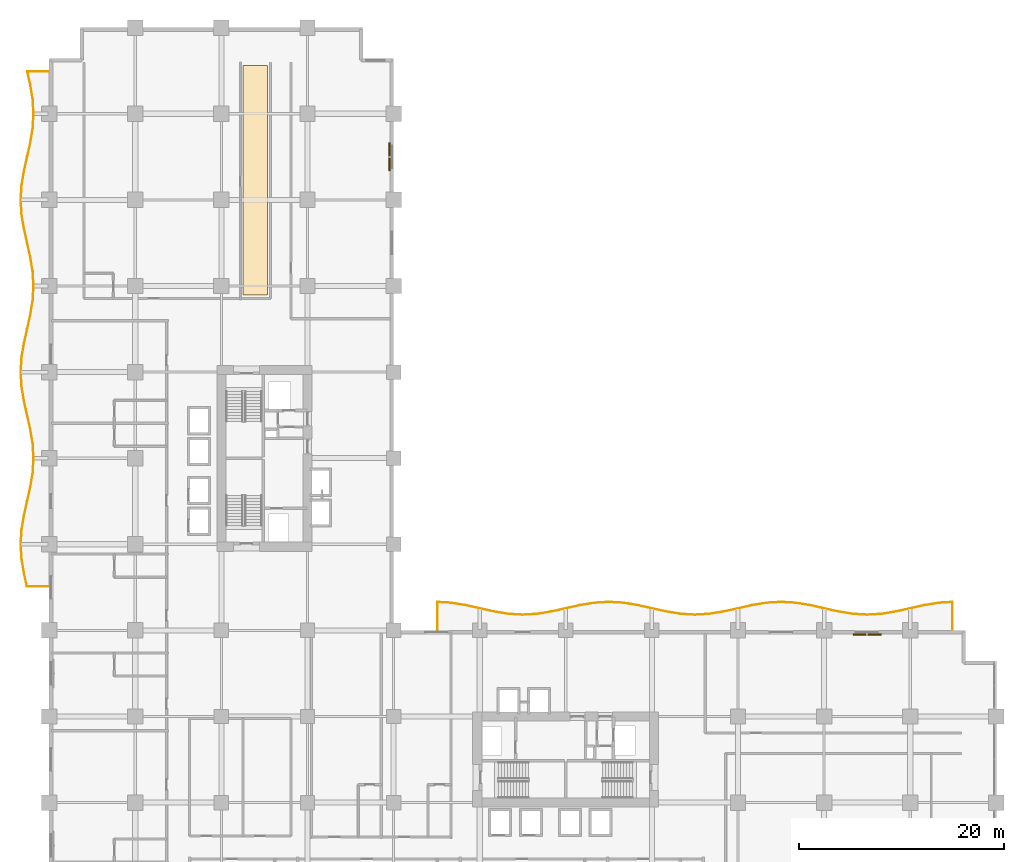
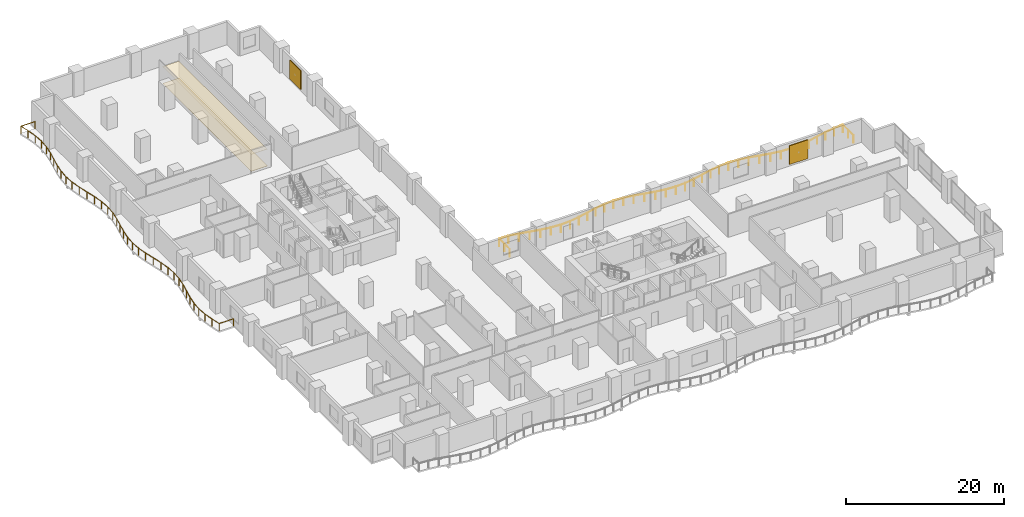
# One storey, part 27 of 27: 2 coverings, 2 railings, 2 shading devices.
"""IFC4 building model written with IfcOpenShell, lengths in metres."""

from ifc_helpers import new_model, si_unit, direction, frame, origin, origin_2d, place, context, subcontext, project, spatial, polyline, rectangle, circle, outline, extrude, material, layer, layer_set, type_object, element, save


model = new_model("IFC4")

# Units and contexts
model_context = context("Model", 3, precision=1e-05, world=origin(), true_north=direction((0.0, 1.0)))
body_context = subcontext(model_context, "Body", "Model", "MODEL_VIEW")
ifc_project = project(units=[si_unit("LENGTHUNIT", "METRE"), si_unit("AREAUNIT", "SQUARE_METRE"), si_unit("VOLUMEUNIT", "CUBIC_METRE"), si_unit("PLANEANGLEUNIT", "RADIAN"), si_unit("MASSUNIT", "GRAM", prefix="KILO")], contexts=[model_context])

# Site, building, storey
site_placement = place(None, origin())
site = spatial("IfcSite", under=ifc_project, at=site_placement, CompositionType="ELEMENT")
building_placement = place(site_placement, origin())
building = spatial("IfcBuilding", under=site, at=building_placement, Name="Koriwani Terraces Tower", CompositionType="ELEMENT")
storey_placement = place(building_placement, frame((0.0, 0.0, 70.0)))
storey = spatial("IfcBuildingStorey", under=building, at=storey_placement, Name="L16", CompositionType="ELEMENT", Elevation=70.0)

# Coverings
ifc_material_1 = material(Name="Fire-Rated Acoustic Gypsum Partition", Category="masonry")
ifc_layer_1 = layer(ifc_material_1, 0.02490234375, Name="Fire-Rated Acoustic Gypsum Partition")
ifc_layer_set_1 = layer_set([ifc_layer_1], Name="Fire-Rated Acoustic Gypsum Partition")
covering_type_1 = type_object("IfcCoveringType", Name="CEILING_ACOUSTIC_GYPSUM", PredefinedType="CEILING", material=ifc_layer_set_1)
covering_1_placement = place(storey_placement, frame((0.0, 0.0, 2.60498046875)))
element("IfcCovering", 1, at=covering_1_placement, inside=storey, type_object=covering_type_1, Name="L16 Suspended Acoustic Gypsum Ceiling", PredefinedType="CEILING", context=body_context, shape_type="SweptSolid", body=[
    extrude(outline(polyline([(18.919921875, 66.300048828125), (18.919921875, 88.699951171875), (21.300048828125, 88.699951171875), (21.300048828125, 66.300048828125), (18.919921875, 66.300048828125)])), origin(), (0.0, 0.0, 1.0), 0.02490234375),
])
ifc_material_2 = material(Name="Polished Andean Slate Flooring", Category="masonry")
ifc_layer_2 = layer(ifc_material_2, 0.030029296875, Name="Polished Andean Slate Flooring")
ifc_layer_set_2 = layer_set([ifc_layer_2], Name="Polished Andean Slate Flooring")
covering_type_2 = type_object("IfcCoveringType", Name="FLOORING_ANDEAN_STONE", PredefinedType="FLOORING", material=ifc_layer_set_2)
covering_2_placement = place(storey_placement, origin())
element("IfcCovering", 2, at=covering_2_placement, inside=storey, type_object=covering_type_2, Name="L16 Polished Andean Slate Floor Finish", PredefinedType="FLOORING", context=body_context, shape_type="SweptSolid", body=[
    extrude(outline(polyline([(18.919921875, 66.300048828125), (18.919921875, 88.699951171875), (21.300048828125, 88.699951171875), (21.300048828125, 66.300048828125), (18.919921875, 66.300048828125)])), origin(), (0.0, 0.0, 1.0), 0.030029296875),
])

# Railings
ifc_material_3 = material(Name="Steel ASTM A572 Grade 50", Category="steel")
railing_type = type_object("IfcRailingType", Name="GUARD_BALUSTRADE_1150", PredefinedType="BALUSTRADE", material=ifc_material_3)
railing_1_placement = place(storey_placement, frame((-0.080078125, 37.8798828125, 0.0)))
element("IfcRailing", 3, at=railing_1_placement, inside=storey, type_object=railing_type, Name="L16 Balcony Perimeter Safety Balustrade (W)", PredefinedType="BALUSTRADE", context=body_context, shape_type="SweptSolid", body=[
    extrude(circle(Radius=0.02392578125, at=origin_2d()), frame((0.0, 0.0, 1.1259765625), z_axis=(-1.0, 0.0, 0.0), x_axis=(0.0, -1.0, 0.0)), (0.0, 0.0, 1.0), 2.080810546875),
    extrude(circle(Radius=0.02392578125, at=origin_2d()), frame((-2.080810546875, 0.0, 1.1259765625), z_axis=(-0.217894011137, 0.97597243809, 0.0), x_axis=(-0.97597243809, -0.217894011137, 0.0)), (0.0, 0.0, 1.0), 1.3681640625),
    extrude(circle(Radius=0.02392578125, at=origin_2d()), frame((-2.37890625, 1.335205078125, 1.1259765625), z_axis=(-0.161286532042, 0.986907622111, 0.0), x_axis=(-0.986907622111, -0.161286532042, 0.0)), (0.0, 0.0, 1.0), 1.412353515625),
    extrude(circle(Radius=0.02392578125, at=origin_2d()), frame((-2.606689453125, 2.72900390625, 1.1259765625), z_axis=(-0.059738678687, 0.998214050326, 0.0), x_axis=(-0.998214050326, -0.059738678687, 0.0)), (0.0, 0.0, 1.0), 1.3935546875),
    extrude(circle(Radius=0.02392578125, at=origin_2d()), frame((-2.68994140625, 4.1201171875, 1.1259765625), z_axis=(0.059738678687, 0.998214050326, 0.0), x_axis=(-0.998214050326, 0.059738678687, 0.0)), (0.0, 0.0, 1.0), 1.3935546875),
    extrude(circle(Radius=0.02392578125, at=origin_2d()), frame((-2.606689453125, 5.51123046875, 1.1259765625), z_axis=(0.161286532042, 0.986907622111, 0.0), x_axis=(-0.986907622111, 0.161286532042, 0.0)), (0.0, 0.0, 1.0), 1.412353515625),
    extrude(circle(Radius=0.02392578125, at=origin_2d()), frame((-2.37890625, 6.905029296875, 1.1259765625), z_axis=(0.217867508535, 0.97597835464, 0.0), x_axis=(-0.97597835464, 0.217867508535, 0.0)), (0.0, 0.0, 1.0), 2.86865234375),
    extrude(circle(Radius=0.02392578125, at=origin_2d()), frame((-1.75390625, 9.704833984375, 1.1259765625), z_axis=(0.161203411159, 0.986921202645, 0.0), x_axis=(-0.986921202645, 0.161203411159, 0.0)), (0.0, 0.0, 1.0), 1.425048828125),
    extrude(circle(Radius=0.02392578125, at=origin_2d()), frame((-1.524169921875, 11.111328125, 1.1259765625), z_axis=(0.059685432622, 0.998217235442, 0.0), x_axis=(-0.998217235442, 0.059685432622, 0.0)), (0.0, 0.0, 1.0), 1.4111328125),
    extrude(circle(Radius=0.02392578125, at=origin_2d()), frame((-1.43994140625, 12.52001953125, 1.1259765625), z_axis=(-0.059675127152, 0.998217851573, 0.0), x_axis=(-0.998217851573, -0.059675127152, 0.0)), (0.0, 0.0, 1.0), 1.411376953125),
    extrude(circle(Radius=0.02392578125, at=origin_2d()), frame((-1.524169921875, 13.928955078125, 1.1259765625), z_axis=(-0.161230670401, 0.986916749742, 0.0), x_axis=(-0.986916749742, -0.161230670401, 0.0)), (0.0, 0.0, 1.0), 1.4248046875),
    extrude(circle(Radius=0.02392578125, at=origin_2d()), frame((-1.75390625, 15.335205078125, 1.1259765625), z_axis=(-0.217849413893, 0.975982393728, 0.0), x_axis=(-0.975982393728, -0.217849413893, 0.0)), (0.0, 0.0, 1.0), 2.868896484375),
    extrude(circle(Radius=0.02392578125, at=origin_2d()), frame((-2.37890625, 18.13525390625, 1.1259765625), z_axis=(-0.161286532042, 0.986907622111, 0.0), x_axis=(-0.986907622111, -0.161286532042, 0.0)), (0.0, 0.0, 1.0), 1.412353515625),
    extrude(circle(Radius=0.02392578125, at=origin_2d()), frame((-2.606689453125, 19.529052734375, 1.1259765625), z_axis=(-0.059738678687, 0.998214050326, 0.0), x_axis=(-0.998214050326, -0.059738678687, 0.0)), (0.0, 0.0, 1.0), 1.3935546875),
    extrude(circle(Radius=0.02392578125, at=origin_2d()), frame((-2.68994140625, 20.920166015625, 1.1259765625), z_axis=(0.059738678687, 0.998214050326, 0.0), x_axis=(-0.998214050326, 0.059738678687, 0.0)), (0.0, 0.0, 1.0), 1.3935546875),
    extrude(circle(Radius=0.02392578125, at=origin_2d()), frame((-2.606689453125, 22.311279296875, 1.1259765625), z_axis=(0.16131405304, 0.986903124066, 0.0), x_axis=(-0.986903124066, 0.16131405304, 0.0)), (0.0, 0.0, 1.0), 1.412109375),
    extrude(circle(Radius=0.02392578125, at=origin_2d()), frame((-2.37890625, 23.704833984375, 1.1259765625), z_axis=(0.217849413893, 0.975982393728, 0.0), x_axis=(-0.975982393728, 0.217849413893, 0.0)), (0.0, 0.0, 1.0), 2.868896484375),
    extrude(circle(Radius=0.02392578125, at=origin_2d()), frame((-1.75390625, 26.5048828125, 1.1259765625), z_axis=(0.161203411159, 0.986921202645, 0.0), x_axis=(-0.986921202645, 0.161203411159, 0.0)), (0.0, 0.0, 1.0), 1.425048828125),
    extrude(circle(Radius=0.02392578125, at=origin_2d()), frame((-1.524169921875, 27.911376953125, 1.1259765625), z_axis=(0.059685432622, 0.998217235442, 0.0), x_axis=(-0.998217235442, 0.059685432622, 0.0)), (0.0, 0.0, 1.0), 1.4111328125),
    extrude(circle(Radius=0.02392578125, at=origin_2d()), frame((-1.43994140625, 29.320068359375, 1.1259765625), z_axis=(-0.059675127152, 0.998217851573, 0.0), x_axis=(-0.998217851573, -0.059675127152, 0.0)), (0.0, 0.0, 1.0), 1.411376953125),
    extrude(circle(Radius=0.02392578125, at=origin_2d()), frame((-1.524169921875, 30.72900390625, 1.1259765625), z_axis=(-0.161230670401, 0.986916749742, 0.0), x_axis=(-0.986916749742, -0.161230670401, 0.0)), (0.0, 0.0, 1.0), 1.4248046875),
    extrude(circle(Radius=0.02392578125, at=origin_2d()), frame((-1.75390625, 32.13525390625, 1.1259765625), z_axis=(-0.217849413893, 0.975982393728, 0.0), x_axis=(-0.975982393728, -0.217849413893, 0.0)), (0.0, 0.0, 1.0), 2.868896484375),
    extrude(circle(Radius=0.02392578125, at=origin_2d()), frame((-2.37890625, 34.935302734375, 1.1259765625), z_axis=(-0.161286532042, 0.986907622111, 0.0), x_axis=(-0.986907622111, -0.161286532042, 0.0)), (0.0, 0.0, 1.0), 1.412353515625),
    extrude(circle(Radius=0.02392578125, at=origin_2d()), frame((-2.606689453125, 36.3291015625, 1.1259765625), z_axis=(-0.059738678687, 0.998214050326, 0.0), x_axis=(-0.998214050326, -0.059738678687, 0.0)), (0.0, 0.0, 1.0), 1.3935546875),
    extrude(circle(Radius=0.02392578125, at=origin_2d()), frame((-2.68994140625, 37.72021484375, 1.1259765625), z_axis=(0.059738678687, 0.998214050326, 0.0), x_axis=(-0.998214050326, 0.059738678687, 0.0)), (0.0, 0.0, 1.0), 1.3935546875),
    extrude(circle(Radius=0.02392578125, at=origin_2d()), frame((-2.606689453125, 39.111328125, 1.1259765625), z_axis=(0.16131405304, 0.986903124066, 0.0), x_axis=(-0.986903124066, 0.16131405304, 0.0)), (0.0, 0.0, 1.0), 1.412109375),
    extrude(circle(Radius=0.02392578125, at=origin_2d()), frame((-2.37890625, 40.5048828125, 1.1259765625), z_axis=(0.217849413893, 0.975982393728, 0.0), x_axis=(-0.975982393728, 0.217849413893, 0.0)), (0.0, 0.0, 1.0), 2.868896484375),
    extrude(circle(Radius=0.02392578125, at=origin_2d()), frame((-1.75390625, 43.304931640625, 1.1259765625), z_axis=(0.161203411159, 0.986921202645, 0.0), x_axis=(-0.986921202645, 0.161203411159, 0.0)), (0.0, 0.0, 1.0), 1.425048828125),
    extrude(circle(Radius=0.02392578125, at=origin_2d()), frame((-1.524169921875, 44.71142578125, 1.1259765625), z_axis=(0.059685432622, 0.998217235442, 0.0), x_axis=(-0.998217235442, 0.059685432622, 0.0)), (0.0, 0.0, 1.0), 1.4111328125),
    extrude(circle(Radius=0.02392578125, at=origin_2d()), frame((-1.43994140625, 46.1201171875, 1.1259765625), z_axis=(-0.059685432622, 0.998217235442, 0.0), x_axis=(-0.998217235442, -0.059685432622, 0.0)), (0.0, 0.0, 1.0), 1.4111328125),
    extrude(circle(Radius=0.02392578125, at=origin_2d()), frame((-1.524169921875, 47.52880859375, 1.1259765625), z_axis=(-0.161203411159, 0.986921202645, 0.0), x_axis=(-0.986921202645, -0.161203411159, 0.0)), (0.0, 0.0, 1.0), 1.425048828125),
    extrude(circle(Radius=0.02392578125, at=origin_2d()), frame((-1.75390625, 48.935302734375, 1.1259765625), z_axis=(-0.217839055917, 0.975984705678, 0.0), x_axis=(-0.975984705678, -0.217839055917, 0.0)), (0.0, 0.0, 1.0), 1.337158203125),
    extrude(circle(Radius=0.02392578125, at=origin_2d()), frame((-2.045166015625, 50.240234375, 1.1259765625), z_axis=(1.0, 0.0, 0.0), x_axis=(0.0, 1.0, 0.0)), (0.0, 0.0, 1.0), 2.045166015625),
    extrude(circle(Radius=0.02099609375, at=origin_2d()), origin(), (0.0, 0.0, 1.0), 1.101806640625),
    extrude(circle(Radius=0.02099609375, at=origin_2d()), frame((-2.080810546875, 0.0, 0.0)), (0.0, 0.0, 1.0), 1.101806640625),
    extrude(circle(Radius=0.02099609375, at=origin_2d()), frame((-2.37890625, 1.335205078125, 0.0)), (0.0, 0.0, 1.0), 1.101806640625),
    extrude(circle(Radius=0.02099609375, at=origin_2d()), frame((-2.606689453125, 2.72900390625, 0.0)), (0.0, 0.0, 1.0), 1.101806640625),
    extrude(circle(Radius=0.02099609375, at=origin_2d()), frame((-2.68994140625, 4.1201171875, 0.0)), (0.0, 0.0, 1.0), 1.101806640625),
    extrude(circle(Radius=0.02099609375, at=origin_2d()), frame((-2.606689453125, 5.51123046875, 0.0)), (0.0, 0.0, 1.0), 1.101806640625),
    extrude(circle(Radius=0.02099609375, at=origin_2d()), frame((-2.37890625, 6.905029296875, 0.0)), (0.0, 0.0, 1.0), 1.101806640625),
    extrude(circle(Radius=0.02099609375, at=origin_2d()), frame((-2.06640625, 8.304931640625, 0.0)), (0.0, 0.0, 1.0), 1.101806640625),
    extrude(circle(Radius=0.02099609375, at=origin_2d()), frame((-1.75390625, 9.704833984375, 0.0)), (0.0, 0.0, 1.0), 1.101806640625),
    extrude(circle(Radius=0.02099609375, at=origin_2d()), frame((-1.524169921875, 11.111328125, 0.0)), (0.0, 0.0, 1.0), 1.101806640625),
    extrude(circle(Radius=0.02099609375, at=origin_2d()), frame((-1.43994140625, 12.52001953125, 0.0)), (0.0, 0.0, 1.0), 1.101806640625),
    extrude(circle(Radius=0.02099609375, at=origin_2d()), frame((-1.524169921875, 13.928955078125, 0.0)), (0.0, 0.0, 1.0), 1.101806640625),
    extrude(circle(Radius=0.02099609375, at=origin_2d()), frame((-1.75390625, 15.335205078125, 0.0)), (0.0, 0.0, 1.0), 1.101806640625),
    extrude(circle(Radius=0.02099609375, at=origin_2d()), frame((-2.06640625, 16.7353515625, 0.0)), (0.0, 0.0, 1.0), 1.101806640625),
    extrude(circle(Radius=0.02099609375, at=origin_2d()), frame((-2.37890625, 18.13525390625, 0.0)), (0.0, 0.0, 1.0), 1.101806640625),
    extrude(circle(Radius=0.02099609375, at=origin_2d()), frame((-2.606689453125, 19.529052734375, 0.0)), (0.0, 0.0, 1.0), 1.101806640625),
    extrude(circle(Radius=0.02099609375, at=origin_2d()), frame((-2.68994140625, 20.920166015625, 0.0)), (0.0, 0.0, 1.0), 1.101806640625),
    extrude(circle(Radius=0.02099609375, at=origin_2d()), frame((-2.606689453125, 22.311279296875, 0.0)), (0.0, 0.0, 1.0), 1.101806640625),
    extrude(circle(Radius=0.02099609375, at=origin_2d()), frame((-2.37890625, 23.704833984375, 0.0)), (0.0, 0.0, 1.0), 1.101806640625),
    extrude(circle(Radius=0.02099609375, at=origin_2d()), frame((-2.06640625, 25.10498046875, 0.0)), (0.0, 0.0, 1.0), 1.101806640625),
    extrude(circle(Radius=0.02099609375, at=origin_2d()), frame((-1.75390625, 26.5048828125, 0.0)), (0.0, 0.0, 1.0), 1.101806640625),
    extrude(circle(Radius=0.02099609375, at=origin_2d()), frame((-1.524169921875, 27.911376953125, 0.0)), (0.0, 0.0, 1.0), 1.101806640625),
    extrude(circle(Radius=0.02099609375, at=origin_2d()), frame((-1.43994140625, 29.320068359375, 0.0)), (0.0, 0.0, 1.0), 1.101806640625),
    extrude(circle(Radius=0.02099609375, at=origin_2d()), frame((-1.524169921875, 30.72900390625, 0.0)), (0.0, 0.0, 1.0), 1.101806640625),
    extrude(circle(Radius=0.02099609375, at=origin_2d()), frame((-1.75390625, 32.13525390625, 0.0)), (0.0, 0.0, 1.0), 1.101806640625),
    extrude(circle(Radius=0.02099609375, at=origin_2d()), frame((-2.06640625, 33.53515625, 0.0)), (0.0, 0.0, 1.0), 1.101806640625),
    extrude(circle(Radius=0.02099609375, at=origin_2d()), frame((-2.37890625, 34.935302734375, 0.0)), (0.0, 0.0, 1.0), 1.101806640625),
    extrude(circle(Radius=0.02099609375, at=origin_2d()), frame((-2.606689453125, 36.3291015625, 0.0)), (0.0, 0.0, 1.0), 1.101806640625),
    extrude(circle(Radius=0.02099609375, at=origin_2d()), frame((-2.68994140625, 37.72021484375, 0.0)), (0.0, 0.0, 1.0), 1.101806640625),
    extrude(circle(Radius=0.02099609375, at=origin_2d()), frame((-2.606689453125, 39.111328125, 0.0)), (0.0, 0.0, 1.0), 1.101806640625),
    extrude(circle(Radius=0.02099609375, at=origin_2d()), frame((-2.37890625, 40.5048828125, 0.0)), (0.0, 0.0, 1.0), 1.101806640625),
    extrude(circle(Radius=0.02099609375, at=origin_2d()), frame((-2.06640625, 41.90478515625, 0.0)), (0.0, 0.0, 1.0), 1.101806640625),
    extrude(circle(Radius=0.02099609375, at=origin_2d()), frame((-1.75390625, 43.304931640625, 0.0)), (0.0, 0.0, 1.0), 1.101806640625),
    extrude(circle(Radius=0.02099609375, at=origin_2d()), frame((-1.524169921875, 44.71142578125, 0.0)), (0.0, 0.0, 1.0), 1.101806640625),
    extrude(circle(Radius=0.02099609375, at=origin_2d()), frame((-1.43994140625, 46.1201171875, 0.0)), (0.0, 0.0, 1.0), 1.101806640625),
    extrude(circle(Radius=0.02099609375, at=origin_2d()), frame((-1.524169921875, 47.52880859375, 0.0)), (0.0, 0.0, 1.0), 1.101806640625),
    extrude(circle(Radius=0.02099609375, at=origin_2d()), frame((-1.75390625, 48.935302734375, 0.0)), (0.0, 0.0, 1.0), 1.101806640625),
    extrude(circle(Radius=0.02099609375, at=origin_2d()), frame((-2.045166015625, 50.240234375, 0.0)), (0.0, 0.0, 1.0), 1.101806640625),
    extrude(circle(Radius=0.02099609375, at=origin_2d()), frame((0.0, 50.240234375, 0.0)), (0.0, 0.0, 1.0), 1.101806640625),
])
railing_2_placement = place(storey_placement, frame((88.1201171875, 33.679931640625, 0.0)))
element("IfcRailing", 4, at=railing_2_placement, inside=storey, type_object=railing_type, Name="L16 Balcony Perimeter Safety Balustrade (NE)", PredefinedType="BALUSTRADE", context=body_context, shape_type="SweptSolid", body=[
    extrude(circle(Radius=0.02392578125, at=origin_2d()), frame((0.0, 0.0, 1.1259765625), z_axis=(0.0, 1.0, 0.0), x_axis=(-1.0, 0.0, 0.0)), (0.0, 0.0, 1.0), 2.68505859375),
    extrude(circle(Radius=0.02392578125, at=origin_2d()), frame((0.0, 2.68505859375, 1.1259765625), z_axis=(-0.998218818314, -0.059658953766, 0.0), x_axis=(0.059658953766, -0.998218818314, 0.0)), (0.0, 0.0, 1.0), 1.313720703125),
    extrude(circle(Radius=0.02392578125, at=origin_2d()), frame((-1.311279296875, 2.606689453125, 1.1259765625), z_axis=(-0.986903124066, -0.16131405304, 0.0), x_axis=(0.16131405304, -0.986903124066, 0.0)), (0.0, 0.0, 1.0), 1.412109375),
    extrude(circle(Radius=0.02392578125, at=origin_2d()), frame((-2.704833984375, 2.37890625, 1.1259765625), z_axis=(-0.976000483873, -0.217768352797, 0.0), x_axis=(0.217768352797, -0.976000483873, 0.0)), (0.0, 0.0, 1.0), 2.868896484375),
    extrude(circle(Radius=0.02392578125, at=origin_2d()), frame((-5.5048828125, 1.754150390625, 1.1259765625), z_axis=(-0.986921202645, -0.161203411159, 0.0), x_axis=(0.161203411159, -0.986921202645, 0.0)), (0.0, 0.0, 1.0), 1.425048828125),
    extrude(circle(Radius=0.02392578125, at=origin_2d()), frame((-6.911376953125, 1.5244140625, 1.1259765625), z_axis=(-0.998217235442, -0.059685432622, 0.0), x_axis=(0.059685432622, -0.998217235442, 0.0)), (0.0, 0.0, 1.0), 1.4111328125),
    extrude(circle(Radius=0.02392578125, at=origin_2d()), frame((-8.320068359375, 1.440185546875, 1.1259765625), z_axis=(-0.998217851573, 0.059675127152, 0.0), x_axis=(-0.059675127152, -0.998217851573, 0.0)), (0.0, 0.0, 1.0), 1.411376953125),
    extrude(circle(Radius=0.02392578125, at=origin_2d()), frame((-9.72900390625, 1.5244140625, 1.1259765625), z_axis=(-0.986916749742, 0.161230670401, 0.0), x_axis=(-0.161230670401, -0.986916749742, 0.0)), (0.0, 0.0, 1.0), 1.4248046875),
    extrude(circle(Radius=0.02392578125, at=origin_2d()), frame((-11.13525390625, 1.754150390625, 1.1259765625), z_axis=(-0.976000483873, 0.217768352797, 0.0), x_axis=(-0.217768352797, -0.976000483873, 0.0)), (0.0, 0.0, 1.0), 2.868896484375),
    extrude(circle(Radius=0.02392578125, at=origin_2d()), frame((-13.935302734375, 2.37890625, 1.1259765625), z_axis=(-0.986907622111, 0.161286532042, 0.0), x_axis=(-0.161286532042, -0.986907622111, 0.0)), (0.0, 0.0, 1.0), 1.412353515625),
    extrude(circle(Radius=0.02392578125, at=origin_2d()), frame((-15.3291015625, 2.606689453125, 1.1259765625), z_axis=(-0.998214050326, 0.059738678687, 0.0), x_axis=(-0.059738678687, -0.998214050326, 0.0)), (0.0, 0.0, 1.0), 1.3935546875),
    extrude(circle(Radius=0.02392578125, at=origin_2d()), frame((-16.72021484375, 2.68994140625, 1.1259765625), z_axis=(-0.998214050326, -0.059738678687, 0.0), x_axis=(0.059738678687, -0.998214050326, 0.0)), (0.0, 0.0, 1.0), 1.3935546875),
    extrude(circle(Radius=0.02392578125, at=origin_2d()), frame((-18.111328125, 2.606689453125, 1.1259765625), z_axis=(-0.986903124066, -0.16131405304, 0.0), x_axis=(0.16131405304, -0.986903124066, 0.0)), (0.0, 0.0, 1.0), 1.412109375),
    extrude(circle(Radius=0.02392578125, at=origin_2d()), frame((-19.5048828125, 2.37890625, 1.1259765625), z_axis=(-0.976000483873, -0.217768352797, 0.0), x_axis=(0.217768352797, -0.976000483873, 0.0)), (0.0, 0.0, 1.0), 2.868896484375),
    extrude(circle(Radius=0.02392578125, at=origin_2d()), frame((-22.304931640625, 1.754150390625, 1.1259765625), z_axis=(-0.986921202645, -0.161203411159, 0.0), x_axis=(0.161203411159, -0.986921202645, 0.0)), (0.0, 0.0, 1.0), 1.425048828125),
    extrude(circle(Radius=0.02392578125, at=origin_2d()), frame((-23.71142578125, 1.5244140625, 1.1259765625), z_axis=(-0.998217235442, -0.059685432622, 0.0), x_axis=(0.059685432622, -0.998217235442, 0.0)), (0.0, 0.0, 1.0), 1.4111328125),
    extrude(circle(Radius=0.02392578125, at=origin_2d()), frame((-25.1201171875, 1.440185546875, 1.1259765625), z_axis=(-0.998217235442, 0.059685432622, 0.0), x_axis=(-0.059685432622, -0.998217235442, 0.0)), (0.0, 0.0, 1.0), 1.4111328125),
    extrude(circle(Radius=0.02392578125, at=origin_2d()), frame((-26.52880859375, 1.5244140625, 1.1259765625), z_axis=(-0.986921202645, 0.161203411159, 0.0), x_axis=(-0.161203411159, -0.986921202645, 0.0)), (0.0, 0.0, 1.0), 1.425048828125),
    extrude(circle(Radius=0.02392578125, at=origin_2d()), frame((-27.935302734375, 1.754150390625, 1.1259765625), z_axis=(-0.976000483873, 0.217768352797, 0.0), x_axis=(-0.217768352797, -0.976000483873, 0.0)), (0.0, 0.0, 1.0), 2.868896484375),
    extrude(circle(Radius=0.02392578125, at=origin_2d()), frame((-30.7353515625, 2.37890625, 1.1259765625), z_axis=(-0.986903124066, 0.16131405304, 0.0), x_axis=(-0.16131405304, -0.986903124066, 0.0)), (0.0, 0.0, 1.0), 1.412109375),
    extrude(circle(Radius=0.02392578125, at=origin_2d()), frame((-32.12890625, 2.606689453125, 1.1259765625), z_axis=(-0.998214050326, 0.059738678687, 0.0), x_axis=(-0.059738678687, -0.998214050326, 0.0)), (0.0, 0.0, 1.0), 1.3935546875),
    extrude(circle(Radius=0.02392578125, at=origin_2d()), frame((-33.52001953125, 2.68994140625, 1.1259765625), z_axis=(-0.998214050326, -0.059738678687, 0.0), x_axis=(0.059738678687, -0.998214050326, 0.0)), (0.0, 0.0, 1.0), 1.3935546875),
    extrude(circle(Radius=0.02392578125, at=origin_2d()), frame((-34.9111328125, 2.606689453125, 1.1259765625), z_axis=(-0.986907622111, -0.161286532042, 0.0), x_axis=(0.161286532042, -0.986907622111, 0.0)), (0.0, 0.0, 1.0), 1.412353515625),
    extrude(circle(Radius=0.02392578125, at=origin_2d()), frame((-36.304931640625, 2.37890625, 1.1259765625), z_axis=(-0.976000483873, -0.217768352797, 0.0), x_axis=(0.217768352797, -0.976000483873, 0.0)), (0.0, 0.0, 1.0), 2.868896484375),
    extrude(circle(Radius=0.02392578125, at=origin_2d()), frame((-39.10498046875, 1.754150390625, 1.1259765625), z_axis=(-0.986916749742, -0.161230670401, 0.0), x_axis=(0.161230670401, -0.986916749742, 0.0)), (0.0, 0.0, 1.0), 1.4248046875),
    extrude(circle(Radius=0.02392578125, at=origin_2d()), frame((-40.51123046875, 1.5244140625, 1.1259765625), z_axis=(-0.998217851573, -0.059675127152, 0.0), x_axis=(0.059675127152, -0.998217851573, 0.0)), (0.0, 0.0, 1.0), 1.411376953125),
    extrude(circle(Radius=0.02392578125, at=origin_2d()), frame((-41.920166015625, 1.440185546875, 1.1259765625), z_axis=(-0.998217235442, 0.059685432622, 0.0), x_axis=(-0.059685432622, -0.998217235442, 0.0)), (0.0, 0.0, 1.0), 1.4111328125),
    extrude(circle(Radius=0.02392578125, at=origin_2d()), frame((-43.328857421875, 1.5244140625, 1.1259765625), z_axis=(-0.986921202645, 0.161203411159, 0.0), x_axis=(-0.161203411159, -0.986921202645, 0.0)), (0.0, 0.0, 1.0), 1.425048828125),
    extrude(circle(Radius=0.02392578125, at=origin_2d()), frame((-44.7353515625, 1.754150390625, 1.1259765625), z_axis=(-0.976000483873, 0.217768352797, 0.0), x_axis=(-0.217768352797, -0.976000483873, 0.0)), (0.0, 0.0, 1.0), 2.868896484375),
    extrude(circle(Radius=0.02392578125, at=origin_2d()), frame((-47.535400390625, 2.37890625, 1.1259765625), z_axis=(-0.986903124066, 0.16131405304, 0.0), x_axis=(-0.16131405304, -0.986903124066, 0.0)), (0.0, 0.0, 1.0), 1.412109375),
    extrude(circle(Radius=0.02392578125, at=origin_2d()), frame((-48.928955078125, 2.606689453125, 1.1259765625), z_axis=(-0.998218818314, 0.059658953766, 0.0), x_axis=(-0.059658953766, -0.998218818314, 0.0)), (0.0, 0.0, 1.0), 1.313720703125),
    extrude(circle(Radius=0.02392578125, at=origin_2d()), frame((-50.240234375, 2.68505859375, 1.1259765625), z_axis=(0.0, -1.0, 0.0), x_axis=(1.0, 0.0, 0.0)), (0.0, 0.0, 1.0), 2.68505859375),
    extrude(circle(Radius=0.02099609375, at=origin_2d()), origin(), (0.0, 0.0, 1.0), 1.101806640625),
    extrude(circle(Radius=0.02099609375, at=origin_2d()), frame((0.0, 1.342529296875, 0.0)), (0.0, 0.0, 1.0), 1.101806640625),
    extrude(circle(Radius=0.02099609375, at=origin_2d()), frame((0.0, 2.68505859375, 0.0)), (0.0, 0.0, 1.0), 1.101806640625),
    extrude(circle(Radius=0.02099609375, at=origin_2d()), frame((-1.311279296875, 2.606689453125, 0.0)), (0.0, 0.0, 1.0), 1.101806640625),
    extrude(circle(Radius=0.02099609375, at=origin_2d()), frame((-2.704833984375, 2.37890625, 0.0)), (0.0, 0.0, 1.0), 1.101806640625),
    extrude(circle(Radius=0.02099609375, at=origin_2d()), frame((-4.10498046875, 2.06640625, 0.0)), (0.0, 0.0, 1.0), 1.101806640625),
    extrude(circle(Radius=0.02099609375, at=origin_2d()), frame((-5.5048828125, 1.754150390625, 0.0)), (0.0, 0.0, 1.0), 1.101806640625),
    extrude(circle(Radius=0.02099609375, at=origin_2d()), frame((-6.911376953125, 1.5244140625, 0.0)), (0.0, 0.0, 1.0), 1.101806640625),
    extrude(circle(Radius=0.02099609375, at=origin_2d()), frame((-8.320068359375, 1.440185546875, 0.0)), (0.0, 0.0, 1.0), 1.101806640625),
    extrude(circle(Radius=0.02099609375, at=origin_2d()), frame((-9.72900390625, 1.5244140625, 0.0)), (0.0, 0.0, 1.0), 1.101806640625),
    extrude(circle(Radius=0.02099609375, at=origin_2d()), frame((-11.13525390625, 1.754150390625, 0.0)), (0.0, 0.0, 1.0), 1.101806640625),
    extrude(circle(Radius=0.02099609375, at=origin_2d()), frame((-12.53515625, 2.06640625, 0.0)), (0.0, 0.0, 1.0), 1.101806640625),
    extrude(circle(Radius=0.02099609375, at=origin_2d()), frame((-13.935302734375, 2.37890625, 0.0)), (0.0, 0.0, 1.0), 1.101806640625),
    extrude(circle(Radius=0.02099609375, at=origin_2d()), frame((-15.3291015625, 2.606689453125, 0.0)), (0.0, 0.0, 1.0), 1.101806640625),
    extrude(circle(Radius=0.02099609375, at=origin_2d()), frame((-16.72021484375, 2.68994140625, 0.0)), (0.0, 0.0, 1.0), 1.101806640625),
    extrude(circle(Radius=0.02099609375, at=origin_2d()), frame((-18.111328125, 2.606689453125, 0.0)), (0.0, 0.0, 1.0), 1.101806640625),
    extrude(circle(Radius=0.02099609375, at=origin_2d()), frame((-19.5048828125, 2.37890625, 0.0)), (0.0, 0.0, 1.0), 1.101806640625),
    extrude(circle(Radius=0.02099609375, at=origin_2d()), frame((-20.90478515625, 2.06640625, 0.0)), (0.0, 0.0, 1.0), 1.101806640625),
    extrude(circle(Radius=0.02099609375, at=origin_2d()), frame((-22.304931640625, 1.754150390625, 0.0)), (0.0, 0.0, 1.0), 1.101806640625),
    extrude(circle(Radius=0.02099609375, at=origin_2d()), frame((-23.71142578125, 1.5244140625, 0.0)), (0.0, 0.0, 1.0), 1.101806640625),
    extrude(circle(Radius=0.02099609375, at=origin_2d()), frame((-25.1201171875, 1.440185546875, 0.0)), (0.0, 0.0, 1.0), 1.101806640625),
    extrude(circle(Radius=0.02099609375, at=origin_2d()), frame((-26.52880859375, 1.5244140625, 0.0)), (0.0, 0.0, 1.0), 1.101806640625),
    extrude(circle(Radius=0.02099609375, at=origin_2d()), frame((-27.935302734375, 1.754150390625, 0.0)), (0.0, 0.0, 1.0), 1.101806640625),
    extrude(circle(Radius=0.02099609375, at=origin_2d()), frame((-29.33544921875, 2.06640625, 0.0)), (0.0, 0.0, 1.0), 1.101806640625),
    extrude(circle(Radius=0.02099609375, at=origin_2d()), frame((-30.7353515625, 2.37890625, 0.0)), (0.0, 0.0, 1.0), 1.101806640625),
    extrude(circle(Radius=0.02099609375, at=origin_2d()), frame((-32.12890625, 2.606689453125, 0.0)), (0.0, 0.0, 1.0), 1.101806640625),
    extrude(circle(Radius=0.02099609375, at=origin_2d()), frame((-33.52001953125, 2.68994140625, 0.0)), (0.0, 0.0, 1.0), 1.101806640625),
    extrude(circle(Radius=0.02099609375, at=origin_2d()), frame((-34.9111328125, 2.606689453125, 0.0)), (0.0, 0.0, 1.0), 1.101806640625),
    extrude(circle(Radius=0.02099609375, at=origin_2d()), frame((-36.304931640625, 2.37890625, 0.0)), (0.0, 0.0, 1.0), 1.101806640625),
    extrude(circle(Radius=0.02099609375, at=origin_2d()), frame((-37.705078125, 2.06640625, 0.0)), (0.0, 0.0, 1.0), 1.101806640625),
    extrude(circle(Radius=0.02099609375, at=origin_2d()), frame((-39.10498046875, 1.754150390625, 0.0)), (0.0, 0.0, 1.0), 1.101806640625),
    extrude(circle(Radius=0.02099609375, at=origin_2d()), frame((-40.51123046875, 1.5244140625, 0.0)), (0.0, 0.0, 1.0), 1.101806640625),
    extrude(circle(Radius=0.02099609375, at=origin_2d()), frame((-41.920166015625, 1.440185546875, 0.0)), (0.0, 0.0, 1.0), 1.101806640625),
    extrude(circle(Radius=0.02099609375, at=origin_2d()), frame((-43.328857421875, 1.5244140625, 0.0)), (0.0, 0.0, 1.0), 1.101806640625),
    extrude(circle(Radius=0.02099609375, at=origin_2d()), frame((-44.7353515625, 1.754150390625, 0.0)), (0.0, 0.0, 1.0), 1.101806640625),
    extrude(circle(Radius=0.02099609375, at=origin_2d()), frame((-46.13525390625, 2.06640625, 0.0)), (0.0, 0.0, 1.0), 1.101806640625),
    extrude(circle(Radius=0.02099609375, at=origin_2d()), frame((-47.535400390625, 2.37890625, 0.0)), (0.0, 0.0, 1.0), 1.101806640625),
    extrude(circle(Radius=0.02099609375, at=origin_2d()), frame((-48.928955078125, 2.606689453125, 0.0)), (0.0, 0.0, 1.0), 1.101806640625),
    extrude(circle(Radius=0.02099609375, at=origin_2d()), frame((-50.240234375, 2.68505859375, 0.0)), (0.0, 0.0, 1.0), 1.101806640625),
    extrude(circle(Radius=0.02099609375, at=origin_2d()), frame((-50.240234375, 1.342529296875, 0.0)), (0.0, 0.0, 1.0), 1.101806640625),
    extrude(circle(Radius=0.02099609375, at=origin_2d()), frame((-50.240234375, 0.0, 0.0)), (0.0, 0.0, 1.0), 1.101806640625),
])

# Shading devices
ifc_material_4 = material(Name="Extruded Terracotta Clay", Category="masonry")
ifc_layer_3 = layer(ifc_material_4, 0.1201171875, Name="Extruded Terracotta Clay")
ifc_layer_set_3 = layer_set([ifc_layer_3], Name="Extruded Terracotta Clay")
shading_device_type = type_object("IfcShadingDeviceType", Name="TERRACOTTA_BAGUETTE_SCREEN_2800", PredefinedType="USERDEFINED", material=ifc_layer_set_3)
for number, where, z_axis, x_axis, name in (
    (5, (33.195068359375, 79.800048828125, 0.324951171875), (0.0, 0.0, 1.0), (0.0, -1.0, 0.0), "L16 Extruded Terracotta Baguette Screen (NW_IN-17)"),
    (6, (79.800048828125, 33.195068359375, 0.324951171875), (0.0, 0.0, 1.0), (1.0, 0.0, 0.0), "L16 Extruded Terracotta Baguette Screen (NE-17)"),
):
    element("IfcShadingDevice", number, at=place(storey_placement, frame(where, z_axis=z_axis, x_axis=x_axis)), inside=storey, type_object=shading_device_type, Name=name, ObjectType="BAGUETTE", PredefinedType="USERDEFINED", context=body_context, shape_type="SweptSolid", body=[
        extrude(rectangle(XDim=2.760009765625, YDim=0.1201171875, at=origin_2d()), origin(), (0.0, 0.0, 1.0), 2.89990234375),
    ])

save(model, "model.ifc")
